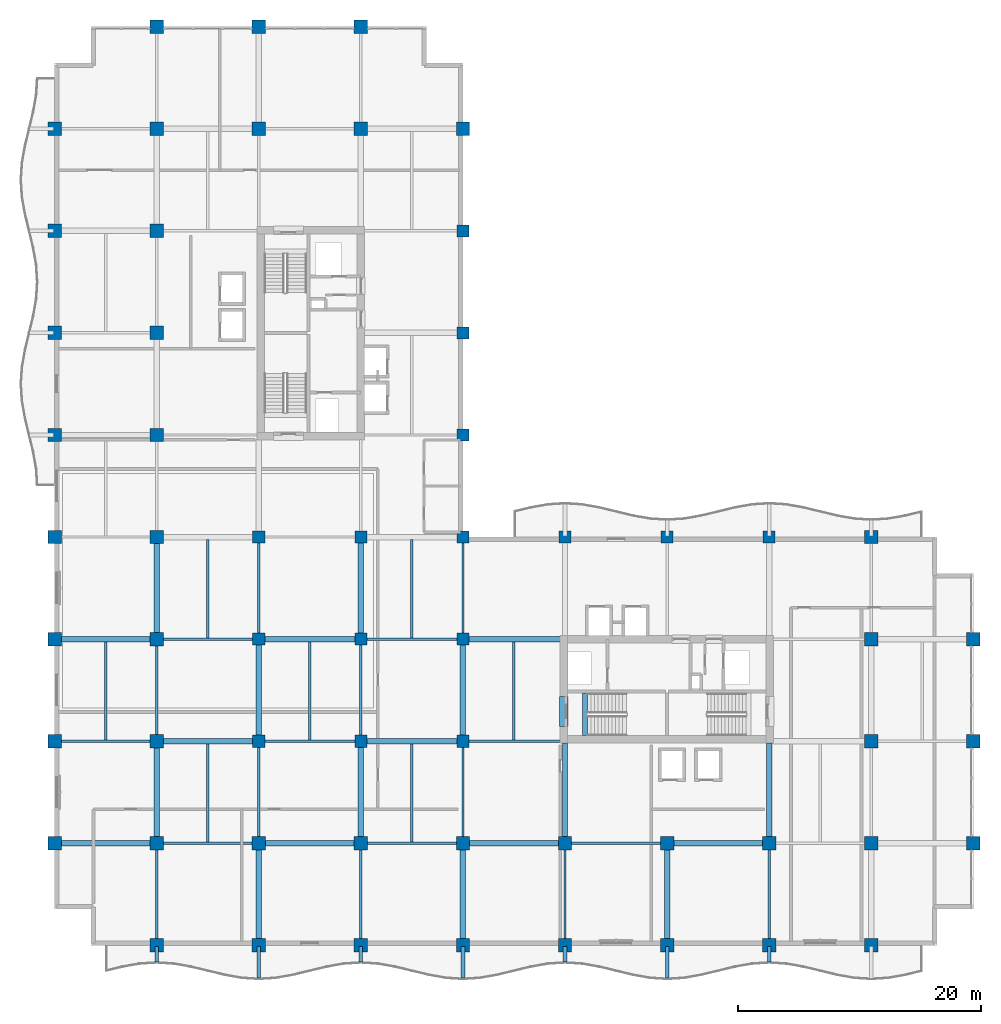
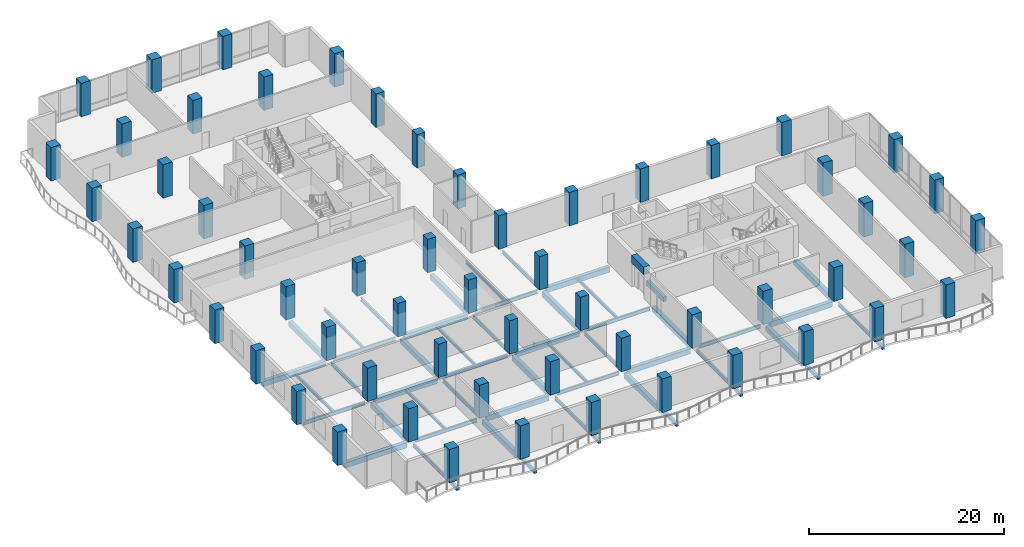
# One storey, part 1 of 22: 58 columns, 54 beams.
"""IFC4 building model written with IfcOpenShell, lengths in metres."""

from ifc_helpers import new_model, si_unit, direction, frame, origin, origin_2d, place, context, subcontext, project, spatial, rectangle, i_section, extrude, material, material_profile, profile_set, type_object, element, save


model = new_model("IFC4")

# Units and contexts
model_context = context("Model", 3, precision=1e-05, world=origin(), true_north=direction((0.0, 1.0)))
body_context = subcontext(model_context, "Body", "Model", "MODEL_VIEW")
ifc_project = project(units=[si_unit("LENGTHUNIT", "METRE"), si_unit("AREAUNIT", "SQUARE_METRE"), si_unit("VOLUMEUNIT", "CUBIC_METRE"), si_unit("PLANEANGLEUNIT", "RADIAN"), si_unit("MASSUNIT", "GRAM", prefix="KILO")], contexts=[model_context])

# Site, building, storey
site_placement = place(None, origin())
site = spatial("IfcSite", under=ifc_project, at=site_placement, CompositionType="ELEMENT")
building_placement = place(site_placement, origin())
building = spatial("IfcBuilding", under=site, at=building_placement, Name="Koriwani Terraces Tower", CompositionType="ELEMENT")
storey_placement = place(building_placement, frame((0.0, 0.0, 219.800048828125)))
storey = spatial("IfcBuildingStorey", under=building, at=storey_placement, Name="L54", CompositionType="ELEMENT", Elevation=219.800048828125)

# Columns
ifc_material_1 = material(Name="Concrete C50/60", Category="concrete")
ifc_material_profile_1 = material_profile(ifc_material_1, rectangle(XDim=1.0, YDim=1.0, at=origin_2d()), Name="Concrete C50/60", Category="LoadBearing")
ifc_profile_set_1 = profile_set([ifc_material_profile_1], Name="Concrete C50/60")
column_type_1 = type_object("IfcColumnType", Name="COL_RC_1000X1000", PredefinedType="COLUMN", material=ifc_profile_set_1)
for number, where, z_axis, x_axis, name in (
    (1, (16.800048828125, 16.800048828125, 0.0), (0.0, 0.0, 1.0), (1.0, 0.0, 0.0), "L54 Column 3/C"),
    (2, (16.800048828125, 25.199951171875, 0.0), (0.0, 0.0, 1.0), (1.0, 0.0, 0.0), "L54 Column 3/D"),
    (3, (16.800048828125, 33.60009765625, 0.0), (0.0, 0.0, 1.0), (1.0, 0.0, 0.0), "L54 Column 3/E"),
    (4, (25.199951171875, 16.800048828125, 0.0), (0.0, 0.0, 1.0), (1.0, 0.0, 0.0), "L54 Column 4/C"),
    (5, (25.199951171875, 25.199951171875, 0.0), (0.0, 0.0, 1.0), (1.0, 0.0, 0.0), "L54 Column 4/D"),
    (6, (25.199951171875, 33.60009765625, 0.0), (0.0, 0.0, 1.0), (1.0, 0.0, 0.0), "L54 Column 4/E"),
    (7, (33.60009765625, 16.800048828125, 0.0), (0.0, 0.0, 1.0), (1.0, 0.0, 0.0), "L54 Column 5/C"),
    (8, (33.60009765625, 25.199951171875, 0.0), (0.0, 0.0, 1.0), (1.0, 0.0, 0.0), "L54 Column 5/D"),
    (9, (33.60009765625, 33.60009765625, 0.0), (0.0, 0.0, 1.0), (1.0, 0.0, 0.0), "L54 Column 5/E"),
    (10, (33.60009765625, 42.0, 0.0), (0.0, 0.0, 1.0), (1.0, 0.0, 0.0), "L54 Column 5/F"),
    (11, (33.60009765625, 50.39990234375, 0.0), (0.0, 0.0, 1.0), (1.0, 0.0, 0.0), "L54 Column 5/G"),
    (12, (33.60009765625, 58.800048828125, 0.0), (0.0, 0.0, 1.0), (1.0, 0.0, 0.0), "L54 Column 5/H"),
    (13, (42.0, 33.60009765625, 0.0), (0.0, 0.0, 1.0), (1.0, 0.0, 0.0), "L54 Column 6/E"),
    (14, (50.39990234375, 33.60009765625, 0.0), (0.0, 0.0, 1.0), (1.0, 0.0, 0.0), "L54 Column 7/E"),
    (15, (58.800048828125, 33.60009765625, 0.0), (0.0, 0.0, 1.0), (1.0, 0.0, 0.0), "L54 Column 8/E"),
):
    element("IfcColumn", number, at=place(storey_placement, frame(where, z_axis=z_axis, x_axis=x_axis)), inside=storey, type_object=column_type_1, Name=name, PredefinedType="COLUMN", context=body_context, shape_type="SweptSolid", body=[
        extrude(rectangle(XDim=1.0, YDim=1.0, at=origin_2d()), origin(), (0.0, 0.0, 1.0), 4.199951171875),
    ])
ifc_material_profile_2 = material_profile(ifc_material_1, rectangle(XDim=1.10009765625, YDim=1.10009765625, at=origin_2d()), Name="Concrete C50/60", Category="LoadBearing")
ifc_profile_set_2 = profile_set([ifc_material_profile_2], Name="Concrete C50/60")
column_type_2 = type_object("IfcColumnType", Name="COL_RC_1100X1100", PredefinedType="COLUMN", material=ifc_profile_set_2)
for number, where, z_axis, x_axis, name in (
    (16, (0.0, 8.39990234375, 0.0), (0.0, 0.0, 1.0), (1.0, 0.0, 0.0), "L54 Column 1/B"),
    (17, (0.0, 16.800048828125, 0.0), (0.0, 0.0, 1.0), (1.0, 0.0, 0.0), "L54 Column 1/C"),
    (18, (0.0, 25.199951171875, 0.0), (0.0, 0.0, 1.0), (1.0, 0.0, 0.0), "L54 Column 1/D"),
    (19, (0.0, 33.60009765625, 0.0), (0.0, 0.0, 1.0), (1.0, 0.0, 0.0), "L54 Column 1/E"),
    (20, (0.0, 42.0, 0.0), (0.0, 0.0, 1.0), (1.0, 0.0, 0.0), "L54 Column 1/F"),
    (21, (0.0, 50.39990234375, 0.0), (0.0, 0.0, 1.0), (1.0, 0.0, 0.0), "L54 Column 1/G"),
    (22, (0.0, 58.800048828125, 0.0), (0.0, 0.0, 1.0), (1.0, 0.0, 0.0), "L54 Column 1/H"),
    (23, (0.0, 67.199951171875, 0.0), (0.0, 0.0, 1.0), (1.0, 0.0, 0.0), "L54 Column 1/I"),
    (24, (8.39990234375, 0.0, 0.0), (0.0, 0.0, 1.0), (1.0, 0.0, 0.0), "L54 Column 2/A"),
    (25, (8.39990234375, 8.39990234375, 0.0), (0.0, 0.0, 1.0), (1.0, 0.0, 0.0), "L54 Column 2/B"),
    (26, (8.39990234375, 16.800048828125, 0.0), (0.0, 0.0, 1.0), (1.0, 0.0, 0.0), "L54 Column 2/C"),
    (27, (8.39990234375, 25.199951171875, 0.0), (0.0, 0.0, 1.0), (1.0, 0.0, 0.0), "L54 Column 2/D"),
    (28, (8.39990234375, 33.60009765625, 0.0), (0.0, 0.0, 1.0), (1.0, 0.0, 0.0), "L54 Column 2/E"),
    (29, (8.39990234375, 42.0, 0.0), (0.0, 0.0, 1.0), (1.0, 0.0, 0.0), "L54 Column 2/F"),
    (30, (8.39990234375, 50.39990234375, 0.0), (0.0, 0.0, 1.0), (1.0, 0.0, 0.0), "L54 Column 2/G"),
    (31, (8.39990234375, 58.800048828125, 0.0), (0.0, 0.0, 1.0), (1.0, 0.0, 0.0), "L54 Column 2/H"),
    (32, (8.39990234375, 67.199951171875, 0.0), (0.0, 0.0, 1.0), (1.0, 0.0, 0.0), "L54 Column 2/I"),
    (33, (8.39990234375, 75.60009765625, 0.0), (0.0, 0.0, 1.0), (1.0, 0.0, 0.0), "L54 Column 2/J"),
    (34, (16.800048828125, 0.0, 0.0), (0.0, 0.0, 1.0), (1.0, 0.0, 0.0), "L54 Column 3/A"),
    (35, (16.800048828125, 8.39990234375, 0.0), (0.0, 0.0, 1.0), (1.0, 0.0, 0.0), "L54 Column 3/B"),
    (36, (16.800048828125, 67.199951171875, 0.0), (0.0, 0.0, 1.0), (1.0, 0.0, 0.0), "L54 Column 3/I"),
    (37, (16.800048828125, 75.60009765625, 0.0), (0.0, 0.0, 1.0), (1.0, 0.0, 0.0), "L54 Column 3/J"),
    (38, (25.199951171875, 0.0, 0.0), (0.0, 0.0, 1.0), (1.0, 0.0, 0.0), "L54 Column 4/A"),
    (39, (25.199951171875, 8.39990234375, 0.0), (0.0, 0.0, 1.0), (1.0, 0.0, 0.0), "L54 Column 4/B"),
    (40, (25.199951171875, 67.199951171875, 0.0), (0.0, 0.0, 1.0), (1.0, 0.0, 0.0), "L54 Column 4/I"),
    (41, (25.199951171875, 75.60009765625, 0.0), (0.0, 0.0, 1.0), (1.0, 0.0, 0.0), "L54 Column 4/J"),
    (42, (33.60009765625, 0.0, 0.0), (0.0, 0.0, 1.0), (1.0, 0.0, 0.0), "L54 Column 5/A"),
    (43, (33.60009765625, 8.39990234375, 0.0), (0.0, 0.0, 1.0), (1.0, 0.0, 0.0), "L54 Column 5/B"),
    (44, (33.60009765625, 67.199951171875, 0.0), (0.0, 0.0, 1.0), (1.0, 0.0, 0.0), "L54 Column 5/I"),
    (45, (42.0, 0.0, 0.0), (0.0, 0.0, 1.0), (1.0, 0.0, 0.0), "L54 Column 6/A"),
    (46, (42.0, 8.39990234375, 0.0), (0.0, 0.0, 1.0), (1.0, 0.0, 0.0), "L54 Column 6/B"),
    (47, (50.39990234375, 0.0, 0.0), (0.0, 0.0, 1.0), (1.0, 0.0, 0.0), "L54 Column 7/A"),
    (48, (50.39990234375, 8.39990234375, 0.0), (0.0, 0.0, 1.0), (1.0, 0.0, 0.0), "L54 Column 7/B"),
    (49, (58.800048828125, 0.0, 0.0), (0.0, 0.0, 1.0), (1.0, 0.0, 0.0), "L54 Column 8/A"),
    (50, (58.800048828125, 8.39990234375, 0.0), (0.0, 0.0, 1.0), (1.0, 0.0, 0.0), "L54 Column 8/B"),
    (51, (67.199951171875, 0.0, 0.0), (0.0, 0.0, 1.0), (1.0, 0.0, 0.0), "L54 Column 9/A"),
    (52, (67.199951171875, 8.39990234375, 0.0), (0.0, 0.0, 1.0), (1.0, 0.0, 0.0), "L54 Column 9/B"),
    (53, (67.199951171875, 16.800048828125, 0.0), (0.0, 0.0, 1.0), (1.0, 0.0, 0.0), "L54 Column 9/C"),
    (54, (67.199951171875, 25.199951171875, 0.0), (0.0, 0.0, 1.0), (1.0, 0.0, 0.0), "L54 Column 9/D"),
    (55, (67.199951171875, 33.60009765625, 0.0), (0.0, 0.0, 1.0), (1.0, 0.0, 0.0), "L54 Column 9/E"),
    (56, (75.60009765625, 8.39990234375, 0.0), (0.0, 0.0, 1.0), (1.0, 0.0, 0.0), "L54 Column 10/B"),
    (57, (75.60009765625, 16.800048828125, 0.0), (0.0, 0.0, 1.0), (1.0, 0.0, 0.0), "L54 Column 10/C"),
    (58, (75.60009765625, 25.199951171875, 0.0), (0.0, 0.0, 1.0), (1.0, 0.0, 0.0), "L54 Column 10/D"),
):
    element("IfcColumn", number, at=place(storey_placement, frame(where, z_axis=z_axis, x_axis=x_axis)), inside=storey, type_object=column_type_2, Name=name, PredefinedType="COLUMN", context=body_context, shape_type="SweptSolid", body=[
        extrude(rectangle(XDim=1.10009765625, YDim=1.10009765625, at=origin_2d()), origin(), (0.0, 0.0, 1.0), 4.199951171875),
    ])

# Beams
ifc_material_2 = material(Name="Concrete C40/50", Category="concrete")
ifc_material_profile_3 = material_profile(ifc_material_2, rectangle(XDim=0.300048828125, YDim=0.39990234375, at=origin_2d()), Name="Concrete C40/50", Category="LoadBearing")
ifc_profile_set_3 = profile_set([ifc_material_profile_3], Name="Concrete C40/50")
beam_type_1 = type_object("IfcBeamType", Name="BEAM_RC_BALCONY_RIB_300X400", PredefinedType="JOIST", material=ifc_profile_set_3)
beam_1_placement = place(storey_placement, frame((8.39990234375, -1.35009765625, -0.429931640625), z_axis=(0.0, 1.0, 0.0), x_axis=(-1.0, 0.0, 0.0)))
element("IfcBeam", 59, at=beam_1_placement, inside=storey, type_object=beam_type_1, Name="L54 Balcony Bracket Rib S-1", PredefinedType="JOIST", context=body_context, shape_type="SweptSolid", body=[
    extrude(rectangle(XDim=0.300048828125, YDim=0.39990234375, at=origin_2d()), origin(), (0.0, 0.0, 1.0), 1.25),
])
beam_2_placement = place(storey_placement, frame((16.800048828125, -2.699951171875, -0.429931640625), z_axis=(0.0, 1.0, 0.0), x_axis=(-1.0, 0.0, 0.0)))
element("IfcBeam", 60, at=beam_2_placement, inside=storey, type_object=beam_type_1, Name="L54 Balcony Bracket Rib S-2", PredefinedType="JOIST", context=body_context, shape_type="SweptSolid", body=[
    extrude(rectangle(XDim=0.300048828125, YDim=0.39990234375, at=origin_2d()), origin(), (0.0, 0.0, 1.0), 2.599853515625),
])
beam_3_placement = place(storey_placement, frame((25.199951171875, -1.35009765625, -0.429931640625), z_axis=(0.0, 1.0, 0.0), x_axis=(-1.0, 0.0, 0.0)))
element("IfcBeam", 61, at=beam_3_placement, inside=storey, type_object=beam_type_1, Name="L54 Balcony Bracket Rib S-3", PredefinedType="JOIST", context=body_context, shape_type="SweptSolid", body=[
    extrude(rectangle(XDim=0.300048828125, YDim=0.39990234375, at=origin_2d()), origin(), (0.0, 0.0, 1.0), 1.25),
])
beam_4_placement = place(storey_placement, frame((33.60009765625, -2.699951171875, -0.429931640625), z_axis=(0.0, 1.0, 0.0), x_axis=(-1.0, 0.0, 0.0)))
element("IfcBeam", 62, at=beam_4_placement, inside=storey, type_object=beam_type_1, Name="L54 Balcony Bracket Rib S-4", PredefinedType="JOIST", context=body_context, shape_type="SweptSolid", body=[
    extrude(rectangle(XDim=0.300048828125, YDim=0.39990234375, at=origin_2d()), origin(), (0.0, 0.0, 1.0), 2.599853515625),
])
beam_5_placement = place(storey_placement, frame((42.0, -1.35009765625, -0.429931640625), z_axis=(0.0, 1.0, 0.0), x_axis=(-1.0, 0.0, 0.0)))
element("IfcBeam", 63, at=beam_5_placement, inside=storey, type_object=beam_type_1, Name="L54 Balcony Bracket Rib S-5", PredefinedType="JOIST", context=body_context, shape_type="SweptSolid", body=[
    extrude(rectangle(XDim=0.300048828125, YDim=0.39990234375, at=origin_2d()), origin(), (0.0, 0.0, 1.0), 1.25),
])
beam_6_placement = place(storey_placement, frame((50.39990234375, -2.699951171875, -0.429931640625), z_axis=(0.0, 1.0, 0.0), x_axis=(-1.0, 0.0, 0.0)))
element("IfcBeam", 64, at=beam_6_placement, inside=storey, type_object=beam_type_1, Name="L54 Balcony Bracket Rib S-6", PredefinedType="JOIST", context=body_context, shape_type="SweptSolid", body=[
    extrude(rectangle(XDim=0.300048828125, YDim=0.39990234375, at=origin_2d()), origin(), (0.0, 0.0, 1.0), 2.599853515625),
])
beam_7_placement = place(storey_placement, frame((58.800048828125, -1.35009765625, -0.429931640625), z_axis=(0.0, 1.0, 0.0), x_axis=(-1.0, 0.0, 0.0)))
element("IfcBeam", 65, at=beam_7_placement, inside=storey, type_object=beam_type_1, Name="L54 Balcony Bracket Rib S-7", PredefinedType="JOIST", context=body_context, shape_type="SweptSolid", body=[
    extrude(rectangle(XDim=0.300048828125, YDim=0.39990234375, at=origin_2d()), origin(), (0.0, 0.0, 1.0), 1.25),
])
ifc_material_3 = material(Name="Concrete C60/75", Category="concrete")
ifc_material_profile_4 = material_profile(ifc_material_3, rectangle(XDim=0.699951171875, YDim=0.949951171875, at=origin_2d()), Name="Concrete C60/75", Category="LoadBearing")
ifc_profile_set_4 = profile_set([ifc_material_profile_4], Name="Concrete C60/75")
beam_type_2 = type_object("IfcBeamType", Name="BEAM_RC_COUPLING_700X950", PredefinedType="LINTEL", material=ifc_profile_set_4)
beam_8_placement = place(storey_placement, frame((41.89990234375, 18.0, 3.494873046875), z_axis=(0.0, 1.0, 0.0), x_axis=(-1.0, 0.0, 0.0)))
element("IfcBeam", 66, at=beam_8_placement, inside=storey, type_object=beam_type_2, Name="L54 Core Coupling Lintel Beam EW", PredefinedType="LINTEL", context=body_context, shape_type="SweptSolid", body=[
    extrude(rectangle(XDim=0.699951171875, YDim=0.949951171875, at=origin_2d()), origin(), (0.0, 0.0, 1.0), 2.5),
])
ifc_material_profile_5 = material_profile(ifc_material_2, rectangle(XDim=0.39990234375, YDim=0.60009765625, at=origin_2d()), Name="Concrete C40/50", Category="LoadBearing")
ifc_profile_set_5 = profile_set([ifc_material_profile_5], Name="Concrete C40/50")
beam_type_3 = type_object("IfcBeamType", Name="BEAM_RC_GRID_400X600", PredefinedType="BEAM", material=ifc_profile_set_5)
beam_9_placement = place(storey_placement, frame((43.655029296875, 17.25, -0.300048828125), z_axis=(0.0, 1.0, 0.0), x_axis=(-1.0, 0.0, 0.0)))
element("IfcBeam", 67, at=beam_9_placement, inside=storey, type_object=beam_type_3, Name="L54 Stairwell Header Trimmer Beam ST-E1", PredefinedType="BEAM", context=body_context, shape_type="SweptSolid", body=[
    extrude(rectangle(XDim=0.39990234375, YDim=0.60009765625, at=origin_2d()), origin(), (0.0, 0.0, 1.0), 3.5),
])
ifc_material_profile_6 = material_profile(ifc_material_1, rectangle(XDim=0.449951171875, YDim=0.64990234375, at=origin_2d()), Name="Concrete C50/60", Category="LoadBearing")
ifc_profile_set_6 = profile_set([ifc_material_profile_6], Name="Concrete C50/60")
beam_type_4 = type_object("IfcBeamType", Name="BEAM_RC_GRID_450X650", PredefinedType="BEAM", material=ifc_profile_set_6)
beam_10_placement = place(storey_placement, frame((0.530029296875, 8.39990234375, -0.554931640625), z_axis=(1.0, 0.0, 0.0), x_axis=(0.0, 1.0, 0.0)))
element("IfcBeam", 68, at=beam_10_placement, inside=storey, type_object=beam_type_4, Name="L54 Grid Beam B (0.0-8.4m)", PredefinedType="BEAM", context=body_context, shape_type="SweptSolid", body=[
    extrude(rectangle(XDim=0.449951171875, YDim=0.64990234375, at=origin_2d()), origin(), (0.0, 0.0, 1.0), 7.340087890625),
])
beam_11_placement = place(storey_placement, frame((17.330078125, 8.39990234375, -0.554931640625), z_axis=(1.0, 0.0, 0.0), x_axis=(0.0, 1.0, 0.0)))
element("IfcBeam", 69, at=beam_11_placement, inside=storey, type_object=beam_type_4, Name="L54 Grid Beam B (16.8-25.2m)", PredefinedType="BEAM", context=body_context, shape_type="SweptSolid", body=[
    extrude(rectangle(XDim=0.449951171875, YDim=0.64990234375, at=origin_2d()), origin(), (0.0, 0.0, 1.0), 7.33984375),
])
for number, where, z_axis, x_axis, name in (
    (70, (34.1298828125, 8.39990234375, -0.554931640625), (1.0, 0.0, 0.0), (0.0, 1.0, 0.0), "L54 Grid Beam B (33.6-42.0m)"),
    (71, (50.929931640625, 8.39990234375, -0.554931640625), (1.0, 0.0, 0.0), (0.0, 1.0, 0.0), "L54 Grid Beam B (50.4-58.8m)"),
):
    element("IfcBeam", number, at=place(storey_placement, frame(where, z_axis=z_axis, x_axis=x_axis)), inside=storey, type_object=beam_type_4, Name=name, PredefinedType="BEAM", context=body_context, shape_type="SweptSolid", body=[
        extrude(rectangle(XDim=0.449951171875, YDim=0.64990234375, at=origin_2d()), origin(), (0.0, 0.0, 1.0), 7.340087890625),
    ])
beam_12_placement = place(storey_placement, frame((8.929931640625, 16.800048828125, -0.554931640625), z_axis=(1.0, 0.0, 0.0), x_axis=(0.0, 1.0, 0.0)))
element("IfcBeam", 72, at=beam_12_placement, inside=storey, type_object=beam_type_4, Name="L54 Grid Beam C (8.4-16.8m)", PredefinedType="BEAM", context=body_context, shape_type="SweptSolid", body=[
    extrude(rectangle(XDim=0.449951171875, YDim=0.64990234375, at=origin_2d()), origin(), (0.0, 0.0, 1.0), 7.39013671875),
])
beam_13_placement = place(storey_placement, frame((25.679931640625, 16.800048828125, -0.554931640625), z_axis=(1.0, 0.0, 0.0), x_axis=(0.0, 1.0, 0.0)))
element("IfcBeam", 73, at=beam_13_placement, inside=storey, type_object=beam_type_4, Name="L54 Grid Beam C (25.2-33.6m)", PredefinedType="BEAM", context=body_context, shape_type="SweptSolid", body=[
    extrude(rectangle(XDim=0.449951171875, YDim=0.64990234375, at=origin_2d()), origin(), (0.0, 0.0, 1.0), 7.440185546875),
])
beam_14_placement = place(storey_placement, frame((0.530029296875, 25.199951171875, -0.554931640625), z_axis=(1.0, 0.0, 0.0), x_axis=(0.0, 1.0, 0.0)))
element("IfcBeam", 74, at=beam_14_placement, inside=storey, type_object=beam_type_4, Name="L54 Grid Beam D (0.0-8.4m)", PredefinedType="BEAM", context=body_context, shape_type="SweptSolid", body=[
    extrude(rectangle(XDim=0.449951171875, YDim=0.64990234375, at=origin_2d()), origin(), (0.0, 0.0, 1.0), 7.340087890625),
])
beam_15_placement = place(storey_placement, frame((17.280029296875, 25.199951171875, -0.554931640625), z_axis=(1.0, 0.0, 0.0), x_axis=(0.0, 1.0, 0.0)))
element("IfcBeam", 75, at=beam_15_placement, inside=storey, type_object=beam_type_4, Name="L54 Grid Beam D (16.8-25.2m)", PredefinedType="BEAM", context=body_context, shape_type="SweptSolid", body=[
    extrude(rectangle(XDim=0.449951171875, YDim=0.64990234375, at=origin_2d()), origin(), (0.0, 0.0, 1.0), 7.43994140625),
])
beam_16_placement = place(storey_placement, frame((34.080078125, 25.199951171875, -0.554931640625), z_axis=(1.0, 0.0, 0.0), x_axis=(0.0, 1.0, 0.0)))
element("IfcBeam", 76, at=beam_16_placement, inside=storey, type_object=beam_type_4, Name="L54 Grid Beam D (33.6-42.0m)", PredefinedType="BEAM", context=body_context, shape_type="SweptSolid", body=[
    extrude(rectangle(XDim=0.449951171875, YDim=0.64990234375, at=origin_2d()), origin(), (0.0, 0.0, 1.0), 7.5400390625),
])
for number, where, z_axis, x_axis, name in (
    (77, (8.39990234375, 8.929931640625, -0.554931640625), (0.0, 1.0, 0.0), (-1.0, 0.0, 0.0), "L54 Grid Beam 2 (8.4-16.8m)"),
    (78, (8.39990234375, 25.72998046875, -0.554931640625), (0.0, 1.0, 0.0), (-1.0, 0.0, 0.0), "L54 Grid Beam 2 (25.2-33.6m)"),
    (79, (16.800048828125, 0.530029296875, -0.554931640625), (0.0, 1.0, 0.0), (-1.0, 0.0, 0.0), "L54 Grid Beam 3 (0.0-8.4m)"),
):
    element("IfcBeam", number, at=place(storey_placement, frame(where, z_axis=z_axis, x_axis=x_axis)), inside=storey, type_object=beam_type_4, Name=name, PredefinedType="BEAM", context=body_context, shape_type="SweptSolid", body=[
        extrude(rectangle(XDim=0.449951171875, YDim=0.64990234375, at=origin_2d()), origin(), (0.0, 0.0, 1.0), 7.340087890625),
    ])
beam_17_placement = place(storey_placement, frame((16.800048828125, 17.280029296875, -0.554931640625), z_axis=(0.0, 1.0, 0.0), x_axis=(-1.0, 0.0, 0.0)))
element("IfcBeam", 80, at=beam_17_placement, inside=storey, type_object=beam_type_4, Name="L54 Grid Beam 3 (16.8-25.2m)", PredefinedType="BEAM", context=body_context, shape_type="SweptSolid", body=[
    extrude(rectangle(XDim=0.449951171875, YDim=0.64990234375, at=origin_2d()), origin(), (0.0, 0.0, 1.0), 7.43994140625),
])
beam_18_placement = place(storey_placement, frame((25.199951171875, 8.929931640625, -0.554931640625), z_axis=(0.0, 1.0, 0.0), x_axis=(-1.0, 0.0, 0.0)))
element("IfcBeam", 81, at=beam_18_placement, inside=storey, type_object=beam_type_4, Name="L54 Grid Beam 4 (8.4-16.8m)", PredefinedType="BEAM", context=body_context, shape_type="SweptSolid", body=[
    extrude(rectangle(XDim=0.449951171875, YDim=0.64990234375, at=origin_2d()), origin(), (0.0, 0.0, 1.0), 7.39013671875),
])
beam_19_placement = place(storey_placement, frame((25.199951171875, 25.679931640625, -0.554931640625), z_axis=(0.0, 1.0, 0.0), x_axis=(-1.0, 0.0, 0.0)))
element("IfcBeam", 82, at=beam_19_placement, inside=storey, type_object=beam_type_4, Name="L54 Grid Beam 4 (25.2-33.6m)", PredefinedType="BEAM", context=body_context, shape_type="SweptSolid", body=[
    extrude(rectangle(XDim=0.449951171875, YDim=0.64990234375, at=origin_2d()), origin(), (0.0, 0.0, 1.0), 7.440185546875),
])
beam_20_placement = place(storey_placement, frame((33.60009765625, 0.530029296875, -0.554931640625), z_axis=(0.0, 1.0, 0.0), x_axis=(-1.0, 0.0, 0.0)))
element("IfcBeam", 83, at=beam_20_placement, inside=storey, type_object=beam_type_4, Name="L54 Grid Beam 5 (0.0-8.4m)", PredefinedType="BEAM", context=body_context, shape_type="SweptSolid", body=[
    extrude(rectangle(XDim=0.449951171875, YDim=0.64990234375, at=origin_2d()), origin(), (0.0, 0.0, 1.0), 7.340087890625),
])
beam_21_placement = place(storey_placement, frame((33.60009765625, 17.280029296875, -0.554931640625), z_axis=(0.0, 1.0, 0.0), x_axis=(-1.0, 0.0, 0.0)))
element("IfcBeam", 84, at=beam_21_placement, inside=storey, type_object=beam_type_4, Name="L54 Grid Beam 5 (16.8-25.2m)", PredefinedType="BEAM", context=body_context, shape_type="SweptSolid", body=[
    extrude(rectangle(XDim=0.449951171875, YDim=0.64990234375, at=origin_2d()), origin(), (0.0, 0.0, 1.0), 7.43994140625),
])
beam_22_placement = place(storey_placement, frame((42.0, 8.929931640625, -0.554931640625), z_axis=(0.0, 1.0, 0.0), x_axis=(-1.0, 0.0, 0.0)))
element("IfcBeam", 85, at=beam_22_placement, inside=storey, type_object=beam_type_4, Name="L54 Grid Beam 6 (8.4-16.8m)", PredefinedType="BEAM", context=body_context, shape_type="SweptSolid", body=[
    extrude(rectangle(XDim=0.449951171875, YDim=0.64990234375, at=origin_2d()), origin(), (0.0, 0.0, 1.0), 7.739990234375),
])
beam_23_placement = place(storey_placement, frame((50.39990234375, 0.530029296875, -0.554931640625), z_axis=(0.0, 1.0, 0.0), x_axis=(-1.0, 0.0, 0.0)))
element("IfcBeam", 86, at=beam_23_placement, inside=storey, type_object=beam_type_4, Name="L54 Grid Beam 7 (0.0-8.4m)", PredefinedType="BEAM", context=body_context, shape_type="SweptSolid", body=[
    extrude(rectangle(XDim=0.449951171875, YDim=0.64990234375, at=origin_2d()), origin(), (0.0, 0.0, 1.0), 7.340087890625),
])
beam_24_placement = place(storey_placement, frame((58.800048828125, 8.929931640625, -0.554931640625), z_axis=(0.0, 1.0, 0.0), x_axis=(-1.0, 0.0, 0.0)))
element("IfcBeam", 87, at=beam_24_placement, inside=storey, type_object=beam_type_4, Name="L54 Grid Beam 8 (8.4-16.8m)", PredefinedType="BEAM", context=body_context, shape_type="SweptSolid", body=[
    extrude(rectangle(XDim=0.449951171875, YDim=0.64990234375, at=origin_2d()), origin(), (0.0, 0.0, 1.0), 7.739990234375),
])
ifc_material_4 = material(Name="Steel ASTM A572 Grade 50", Category="steel")
ifc_material_profile_7 = material_profile(ifc_material_4, i_section(OverallWidth=0.205078125, OverallDepth=0.35400390625, WebThickness=0.009521484375, FlangeThickness=0.016845703125, at=origin_2d()), Name="Steel ASTM A572 Grade 50", Category="LoadBearing")
ifc_profile_set_7 = profile_set([ifc_material_profile_7], Name="Steel ASTM A572 Grade 50")
beam_type_5 = type_object("IfcBeamType", Name="STEEL_BEAM_W360X79", PredefinedType="JOIST", material=ifc_profile_set_7)
beam_25_placement = place(storey_placement, frame((4.199951171875, 16.886474609375, -0.406982421875), z_axis=(0.0, 1.0, 0.0), x_axis=(-1.0, 0.0, 0.0)))
element("IfcBeam", 88, at=beam_25_placement, inside=storey, type_object=beam_type_5, Name="L54 Secondary Steel Floor Joist X=4.2m", PredefinedType="JOIST", context=body_context, shape_type="SweptSolid", body=[
    extrude(i_section(OverallWidth=0.205078125, OverallDepth=0.35400390625, WebThickness=0.009521484375, FlangeThickness=0.016845703125, at=origin_2d()), origin(), (0.0, 0.0, 1.0), 8.0986328125),
])
for number, where, z_axis, x_axis, name in (
    (89, (12.60009765625, 8.486572265625, -0.406982421875), (0.0, 1.0, 0.0), (-1.0, 0.0, 0.0), "L54 Secondary Steel Floor Joist X=12.6m"),
    (90, (12.60009765625, 25.28662109375, -0.406982421875), (0.0, 1.0, 0.0), (-1.0, 0.0, 0.0), "L54 Secondary Steel Floor Joist X=12.6m"),
):
    element("IfcBeam", number, at=place(storey_placement, frame(where, z_axis=z_axis, x_axis=x_axis)), inside=storey, type_object=beam_type_5, Name=name, PredefinedType="JOIST", context=body_context, shape_type="SweptSolid", body=[
        extrude(i_section(OverallWidth=0.205078125, OverallDepth=0.35400390625, WebThickness=0.009521484375, FlangeThickness=0.016845703125, at=origin_2d()), origin(), (0.0, 0.0, 1.0), 8.098388671875),
    ])
beam_26_placement = place(storey_placement, frame((21.0, 16.886474609375, -0.406982421875), z_axis=(0.0, 1.0, 0.0), x_axis=(-1.0, 0.0, 0.0)))
element("IfcBeam", 91, at=beam_26_placement, inside=storey, type_object=beam_type_5, Name="L54 Secondary Steel Floor Joist X=21.0m", PredefinedType="JOIST", context=body_context, shape_type="SweptSolid", body=[
    extrude(i_section(OverallWidth=0.205078125, OverallDepth=0.35400390625, WebThickness=0.009521484375, FlangeThickness=0.016845703125, at=origin_2d()), origin(), (0.0, 0.0, 1.0), 8.0986328125),
])
for number, where, z_axis, x_axis, name in (
    (92, (29.39990234375, 8.486572265625, -0.406982421875), (0.0, 1.0, 0.0), (-1.0, 0.0, 0.0), "L54 Secondary Steel Floor Joist X=29.4m"),
    (93, (29.39990234375, 25.28662109375, -0.406982421875), (0.0, 1.0, 0.0), (-1.0, 0.0, 0.0), "L54 Secondary Steel Floor Joist X=29.4m"),
):
    element("IfcBeam", number, at=place(storey_placement, frame(where, z_axis=z_axis, x_axis=x_axis)), inside=storey, type_object=beam_type_5, Name=name, PredefinedType="JOIST", context=body_context, shape_type="SweptSolid", body=[
        extrude(i_section(OverallWidth=0.205078125, OverallDepth=0.35400390625, WebThickness=0.009521484375, FlangeThickness=0.016845703125, at=origin_2d()), origin(), (0.0, 0.0, 1.0), 8.098388671875),
    ])
beam_27_placement = place(storey_placement, frame((37.800048828125, 16.886474609375, -0.406982421875), z_axis=(0.0, 1.0, 0.0), x_axis=(-1.0, 0.0, 0.0)))
element("IfcBeam", 94, at=beam_27_placement, inside=storey, type_object=beam_type_5, Name="L54 Secondary Steel Floor Joist X=37.8m", PredefinedType="JOIST", context=body_context, shape_type="SweptSolid", body=[
    extrude(i_section(OverallWidth=0.205078125, OverallDepth=0.35400390625, WebThickness=0.009521484375, FlangeThickness=0.016845703125, at=origin_2d()), origin(), (0.0, 0.0, 1.0), 8.0986328125),
])
ifc_material_profile_8 = material_profile(ifc_material_4, i_section(OverallWidth=0.193115234375, OverallDepth=0.462890625, WebThickness=0.0107421875, FlangeThickness=0.017333984375, at=origin_2d()), Name="Steel ASTM A572 Grade 50", Category="LoadBearing")
ifc_profile_set_8 = profile_set([ifc_material_profile_8], Name="Steel ASTM A572 Grade 50")
beam_type_6 = type_object("IfcBeamType", Name="STEEL_BEAM_W460X113", PredefinedType="BEAM", material=ifc_profile_set_8)
for number, where, z_axis, x_axis, name in (
    (95, (8.929931640625, 8.39990234375, -0.461669921875), (1.0, 0.0, 0.0), (0.0, 1.0, 0.0), "L54 Grid Beam B (8.4-16.8m)"),
    (96, (25.72998046875, 8.39990234375, -0.461669921875), (1.0, 0.0, 0.0), (0.0, 1.0, 0.0), "L54 Grid Beam B (25.2-33.6m)"),
    (97, (42.530029296875, 8.39990234375, -0.461669921875), (1.0, 0.0, 0.0), (0.0, 1.0, 0.0), "L54 Grid Beam B (42.0-50.4m)"),
    (98, (0.530029296875, 16.800048828125, -0.461669921875), (1.0, 0.0, 0.0), (0.0, 1.0, 0.0), "L54 Grid Beam C (0.0-8.4m)"),
):
    element("IfcBeam", number, at=place(storey_placement, frame(where, z_axis=z_axis, x_axis=x_axis)), inside=storey, type_object=beam_type_6, Name=name, PredefinedType="BEAM", context=body_context, shape_type="SweptSolid", body=[
        extrude(i_section(OverallWidth=0.193115234375, OverallDepth=0.462890625, WebThickness=0.0107421875, FlangeThickness=0.017333984375, at=origin_2d()), origin(), (0.0, 0.0, 1.0), 7.340087890625),
    ])
beam_28_placement = place(storey_placement, frame((17.280029296875, 16.800048828125, -0.461669921875), z_axis=(1.0, 0.0, 0.0), x_axis=(0.0, 1.0, 0.0)))
element("IfcBeam", 99, at=beam_28_placement, inside=storey, type_object=beam_type_6, Name="L54 Grid Beam C (16.8-25.2m)", PredefinedType="BEAM", context=body_context, shape_type="SweptSolid", body=[
    extrude(i_section(OverallWidth=0.193115234375, OverallDepth=0.462890625, WebThickness=0.0107421875, FlangeThickness=0.017333984375, at=origin_2d()), origin(), (0.0, 0.0, 1.0), 7.43994140625),
])
beam_29_placement = place(storey_placement, frame((34.080078125, 16.800048828125, -0.461669921875), z_axis=(1.0, 0.0, 0.0), x_axis=(0.0, 1.0, 0.0)))
element("IfcBeam", 100, at=beam_29_placement, inside=storey, type_object=beam_type_6, Name="L54 Grid Beam C (33.6-42.0m)", PredefinedType="BEAM", context=body_context, shape_type="SweptSolid", body=[
    extrude(i_section(OverallWidth=0.193115234375, OverallDepth=0.462890625, WebThickness=0.0107421875, FlangeThickness=0.017333984375, at=origin_2d()), origin(), (0.0, 0.0, 1.0), 7.5400390625),
])
beam_30_placement = place(storey_placement, frame((8.929931640625, 25.199951171875, -0.461669921875), z_axis=(1.0, 0.0, 0.0), x_axis=(0.0, 1.0, 0.0)))
element("IfcBeam", 101, at=beam_30_placement, inside=storey, type_object=beam_type_6, Name="L54 Grid Beam D (8.4-16.8m)", PredefinedType="BEAM", context=body_context, shape_type="SweptSolid", body=[
    extrude(i_section(OverallWidth=0.193115234375, OverallDepth=0.462890625, WebThickness=0.0107421875, FlangeThickness=0.017333984375, at=origin_2d()), origin(), (0.0, 0.0, 1.0), 7.39013671875),
])
beam_31_placement = place(storey_placement, frame((25.679931640625, 25.199951171875, -0.461669921875), z_axis=(1.0, 0.0, 0.0), x_axis=(0.0, 1.0, 0.0)))
element("IfcBeam", 102, at=beam_31_placement, inside=storey, type_object=beam_type_6, Name="L54 Grid Beam D (25.2-33.6m)", PredefinedType="BEAM", context=body_context, shape_type="SweptSolid", body=[
    extrude(i_section(OverallWidth=0.193115234375, OverallDepth=0.462890625, WebThickness=0.0107421875, FlangeThickness=0.017333984375, at=origin_2d()), origin(), (0.0, 0.0, 1.0), 7.440185546875),
])
beam_32_placement = place(storey_placement, frame((8.39990234375, 0.530029296875, -0.461669921875), z_axis=(0.0, 1.0, 0.0), x_axis=(-1.0, 0.0, 0.0)))
element("IfcBeam", 103, at=beam_32_placement, inside=storey, type_object=beam_type_6, Name="L54 Grid Beam 2 (0.0-8.4m)", PredefinedType="BEAM", context=body_context, shape_type="SweptSolid", body=[
    extrude(i_section(OverallWidth=0.193115234375, OverallDepth=0.462890625, WebThickness=0.0107421875, FlangeThickness=0.017333984375, at=origin_2d()), origin(), (0.0, 0.0, 1.0), 7.340087890625),
])
beam_33_placement = place(storey_placement, frame((8.39990234375, 17.330078125, -0.461669921875), z_axis=(0.0, 1.0, 0.0), x_axis=(-1.0, 0.0, 0.0)))
element("IfcBeam", 104, at=beam_33_placement, inside=storey, type_object=beam_type_6, Name="L54 Grid Beam 2 (16.8-25.2m)", PredefinedType="BEAM", context=body_context, shape_type="SweptSolid", body=[
    extrude(i_section(OverallWidth=0.193115234375, OverallDepth=0.462890625, WebThickness=0.0107421875, FlangeThickness=0.017333984375, at=origin_2d()), origin(), (0.0, 0.0, 1.0), 7.33984375),
])
beam_34_placement = place(storey_placement, frame((16.800048828125, 8.929931640625, -0.461669921875), z_axis=(0.0, 1.0, 0.0), x_axis=(-1.0, 0.0, 0.0)))
element("IfcBeam", 105, at=beam_34_placement, inside=storey, type_object=beam_type_6, Name="L54 Grid Beam 3 (8.4-16.8m)", PredefinedType="BEAM", context=body_context, shape_type="SweptSolid", body=[
    extrude(i_section(OverallWidth=0.193115234375, OverallDepth=0.462890625, WebThickness=0.0107421875, FlangeThickness=0.017333984375, at=origin_2d()), origin(), (0.0, 0.0, 1.0), 7.39013671875),
])
beam_35_placement = place(storey_placement, frame((16.800048828125, 25.679931640625, -0.461669921875), z_axis=(0.0, 1.0, 0.0), x_axis=(-1.0, 0.0, 0.0)))
element("IfcBeam", 106, at=beam_35_placement, inside=storey, type_object=beam_type_6, Name="L54 Grid Beam 3 (25.2-33.6m)", PredefinedType="BEAM", context=body_context, shape_type="SweptSolid", body=[
    extrude(i_section(OverallWidth=0.193115234375, OverallDepth=0.462890625, WebThickness=0.0107421875, FlangeThickness=0.017333984375, at=origin_2d()), origin(), (0.0, 0.0, 1.0), 7.440185546875),
])
beam_36_placement = place(storey_placement, frame((25.199951171875, 0.530029296875, -0.461669921875), z_axis=(0.0, 1.0, 0.0), x_axis=(-1.0, 0.0, 0.0)))
element("IfcBeam", 107, at=beam_36_placement, inside=storey, type_object=beam_type_6, Name="L54 Grid Beam 4 (0.0-8.4m)", PredefinedType="BEAM", context=body_context, shape_type="SweptSolid", body=[
    extrude(i_section(OverallWidth=0.193115234375, OverallDepth=0.462890625, WebThickness=0.0107421875, FlangeThickness=0.017333984375, at=origin_2d()), origin(), (0.0, 0.0, 1.0), 7.340087890625),
])
beam_37_placement = place(storey_placement, frame((25.199951171875, 17.280029296875, -0.461669921875), z_axis=(0.0, 1.0, 0.0), x_axis=(-1.0, 0.0, 0.0)))
element("IfcBeam", 108, at=beam_37_placement, inside=storey, type_object=beam_type_6, Name="L54 Grid Beam 4 (16.8-25.2m)", PredefinedType="BEAM", context=body_context, shape_type="SweptSolid", body=[
    extrude(i_section(OverallWidth=0.193115234375, OverallDepth=0.462890625, WebThickness=0.0107421875, FlangeThickness=0.017333984375, at=origin_2d()), origin(), (0.0, 0.0, 1.0), 7.43994140625),
])
beam_38_placement = place(storey_placement, frame((33.60009765625, 8.929931640625, -0.461669921875), z_axis=(0.0, 1.0, 0.0), x_axis=(-1.0, 0.0, 0.0)))
element("IfcBeam", 109, at=beam_38_placement, inside=storey, type_object=beam_type_6, Name="L54 Grid Beam 5 (8.4-16.8m)", PredefinedType="BEAM", context=body_context, shape_type="SweptSolid", body=[
    extrude(i_section(OverallWidth=0.193115234375, OverallDepth=0.462890625, WebThickness=0.0107421875, FlangeThickness=0.017333984375, at=origin_2d()), origin(), (0.0, 0.0, 1.0), 7.39013671875),
])
beam_39_placement = place(storey_placement, frame((33.60009765625, 25.679931640625, -0.461669921875), z_axis=(0.0, 1.0, 0.0), x_axis=(-1.0, 0.0, 0.0)))
element("IfcBeam", 110, at=beam_39_placement, inside=storey, type_object=beam_type_6, Name="L54 Grid Beam 5 (25.2-33.6m)", PredefinedType="BEAM", context=body_context, shape_type="SweptSolid", body=[
    extrude(i_section(OverallWidth=0.193115234375, OverallDepth=0.462890625, WebThickness=0.0107421875, FlangeThickness=0.017333984375, at=origin_2d()), origin(), (0.0, 0.0, 1.0), 7.440185546875),
])
for number, where, z_axis, x_axis, name in (
    (111, (42.0, 0.530029296875, -0.461669921875), (0.0, 1.0, 0.0), (-1.0, 0.0, 0.0), "L54 Grid Beam 6 (0.0-8.4m)"),
    (112, (58.800048828125, 0.530029296875, -0.461669921875), (0.0, 1.0, 0.0), (-1.0, 0.0, 0.0), "L54 Grid Beam 8 (0.0-8.4m)"),
):
    element("IfcBeam", number, at=place(storey_placement, frame(where, z_axis=z_axis, x_axis=x_axis)), inside=storey, type_object=beam_type_6, Name=name, PredefinedType="BEAM", context=body_context, shape_type="SweptSolid", body=[
        extrude(i_section(OverallWidth=0.193115234375, OverallDepth=0.462890625, WebThickness=0.0107421875, FlangeThickness=0.017333984375, at=origin_2d()), origin(), (0.0, 0.0, 1.0), 7.340087890625),
    ])

save(model, "model.ifc")
